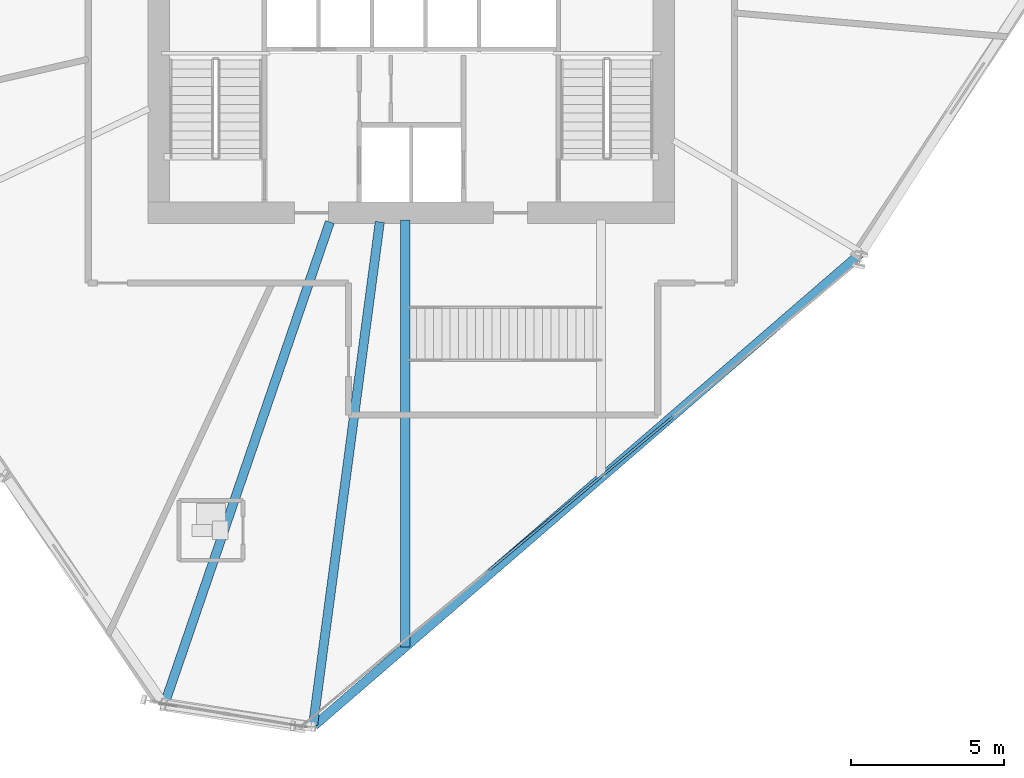
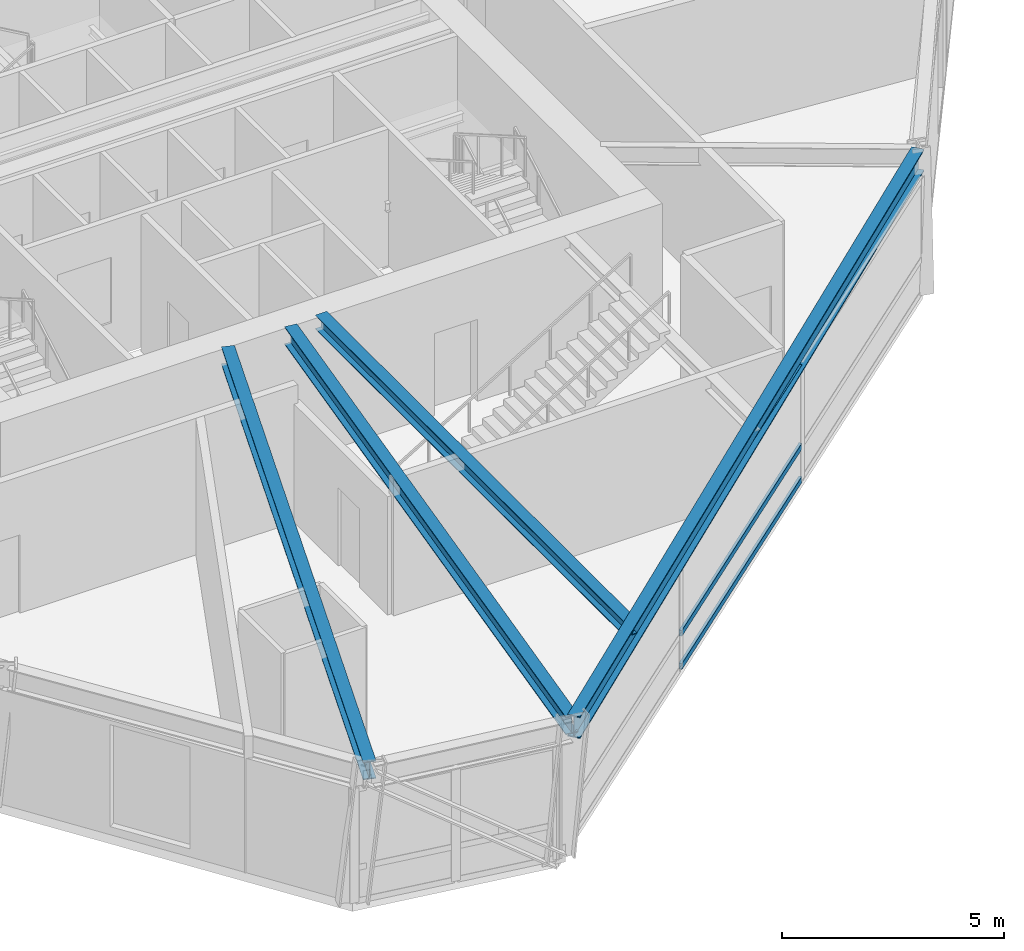
# One storey, part 4 of 16: 4 beams, 3 members, 1 element without a shape of its own.
"""IFC4 building model written with IfcOpenShell, lengths in metres."""

from ifc_helpers import new_model, si_unit, direction, frame, origin, origin_2d, place, context, subcontext, project, spatial, hollow_rectangle, i_section, extrude, source, transform, mapped, material, material_profile, profile_set, type_object, element, aggregate, save


model = new_model("IFC4")

# Units and contexts
model_context = context("Model", 3, precision=1e-05, world=origin(), true_north=direction((0.0, 1.0)))
body_context = subcontext(model_context, "Body", "Model", "MODEL_VIEW")
ifc_project = project(units=[si_unit("LENGTHUNIT", "METRE"), si_unit("AREAUNIT", "SQUARE_METRE"), si_unit("VOLUMEUNIT", "CUBIC_METRE"), si_unit("PLANEANGLEUNIT", "RADIAN"), si_unit("MASSUNIT", "GRAM", prefix="KILO")], contexts=[model_context])

# Site, building, storey
site_placement = place(None, origin())
site = spatial("IfcSite", under=ifc_project, at=site_placement, CompositionType="ELEMENT")
building_placement = place(site_placement, origin())
building = spatial("IfcBuilding", under=site, at=building_placement, Name="Olszyna Solenne Hotel", CompositionType="ELEMENT")
storey_placement = place(building_placement, frame((0.0, 0.0, 134.10009765625)))
storey = spatial("IfcBuildingStorey", under=building, at=storey_placement, Name="L35", CompositionType="ELEMENT", Elevation=134.10009765625)

# Beams
ifc_material_1 = material(Name="Steel S355J2", Category="steel")
ifc_material_profile_1 = material_profile(ifc_material_1, i_section(OverallWidth=0.300048828125, OverallDepth=0.60009765625, WebThickness=0.015380859375, FlangeThickness=0.030029296875, at=origin_2d()), Name="HEB 600", Category="load-bearing")
ifc_profile_set_1 = profile_set([ifc_material_profile_1], Name="Steel S355J2")
beam_type_1 = type_object("IfcBeamType", Name="BM-S2", PredefinedType="BEAM", material=ifc_profile_set_1)
shared_shape_1 = source(origin(), body_context, "Body", "SweptSolid", [
    extrude(i_section(OverallWidth=0.300048828125, OverallDepth=0.60009765625, WebThickness=0.015380859375, FlangeThickness=0.030029296875, at=origin_2d()), origin(), (0.0, 0.0, 1.0), 23.573974609375),
])
beam_1_placement = place(storey_placement, frame((34.83056640625, 2.40087890625, 3.449951171875), z_axis=(0.756659046496, 0.653809672119, 0.0), x_axis=(-0.653809672119, 0.756659046496, 0.0)))
element("IfcBeam", 1, at=beam_1_placement, inside=storey, type_object=beam_type_1, Name="Perimeter spandrel beam BM-S2 B-L35-1051", PredefinedType="BEAM", context=body_context, shape_type="MappedRepresentation", body=[
    mapped(shared_shape_1, transform((0.0, 0.0, 0.0), x_axis=(1.0, 0.0, 0.0), y_axis=(0.0, 1.0, 0.0), z_axis=(0.0, 0.0, 1.0), scale=1.0)),
])
ifc_material_profile_2 = material_profile(ifc_material_1, i_section(OverallWidth=0.300048828125, OverallDepth=0.489990234375, WebThickness=0.011962890625, FlangeThickness=0.02294921875, at=origin_2d()), Name="HEA 500", Category="load-bearing")
ifc_profile_set_2 = profile_set([ifc_material_profile_2], Name="Steel S355J2")
beam_type_2 = type_object("IfcBeamType", Name="BM-G1", PredefinedType="BEAM", material=ifc_profile_set_2)
shared_shape_2 = source(origin(), body_context, "Body", "SweptSolid", [
    extrude(i_section(OverallWidth=0.300048828125, OverallDepth=0.489990234375, WebThickness=0.011962890625, FlangeThickness=0.02294921875, at=origin_2d()), origin(), (0.0, 0.0, 1.0), 16.602294921875),
])
beam_2_placement = place(storey_placement, frame((29.953857421875, 3.143310546875, 3.5048828125), z_axis=(0.324456657668, 0.945900564169, 0.0), x_axis=(-0.945900564169, 0.324456657668, 0.0)))
element("IfcBeam", 2, at=beam_2_placement, inside=storey, type_object=beam_type_2, Name="Radial floor girder BM-G1 B-L35-1060", PredefinedType="BEAM", context=body_context, shape_type="MappedRepresentation", body=[
    mapped(shared_shape_2, transform((0.0, 0.0, 0.0), x_axis=(1.0, 0.0, 0.0), y_axis=(0.0, 1.0, 0.0), z_axis=(0.0, 0.0, 1.0), scale=1.0)),
])
shared_shape_3 = source(origin(), body_context, "Body", "SweptSolid", [
    extrude(i_section(OverallWidth=0.300048828125, OverallDepth=0.489990234375, WebThickness=0.011962890625, FlangeThickness=0.02294921875, at=origin_2d()), origin(), (0.0, 0.0, 1.0), 16.572265625),
])
beam_3_placement = place(storey_placement, frame((34.793212890625, 2.421142578125, 3.5048828125), z_axis=(0.131466980562, 0.991320550086, 0.0), x_axis=(-0.991320550086, 0.131466980562, 0.0)))
element("IfcBeam", 3, at=beam_3_placement, inside=storey, type_object=beam_type_2, Name="Radial floor girder BM-G1 B-L35-1061", PredefinedType="BEAM", context=body_context, shape_type="MappedRepresentation", body=[
    mapped(shared_shape_3, transform((0.0, 0.0, 0.0), x_axis=(1.0, 0.0, 0.0), y_axis=(0.0, 1.0, 0.0), z_axis=(0.0, 0.0, 1.0), scale=1.0)),
])
ifc_material_profile_3 = material_profile(ifc_material_1, i_section(OverallWidth=0.300048828125, OverallDepth=0.389892578125, WebThickness=0.010986328125, FlangeThickness=0.01904296875, at=origin_2d()), Name="HEA 400", Category="load-bearing")
ifc_profile_set_3 = profile_set([ifc_material_profile_3], Name="Steel S355J2")
beam_type_3 = type_object("IfcBeamType", Name="BM-G2", PredefinedType="BEAM", material=ifc_profile_set_3)
shared_shape_4 = source(origin(), body_context, "Body", "SweptSolid", [
    extrude(i_section(OverallWidth=0.300048828125, OverallDepth=0.389892578125, WebThickness=0.010986328125, FlangeThickness=0.01904296875, at=origin_2d()), origin(), (0.0, 0.0, 1.0), 13.953125),
])
beam_4_placement = place(storey_placement, frame((37.800048828125, 4.966796875, 3.554931640625), z_axis=(0.0, 1.0, 0.0), x_axis=(-1.0, 0.0, 0.0)))
element("IfcBeam", 4, at=beam_4_placement, inside=storey, type_object=beam_type_3, Name="Feature stair West trimmer girder BM-G2 B-L35-1065", PredefinedType="BEAM", context=body_context, shape_type="MappedRepresentation", body=[
    mapped(shared_shape_4, transform((0.0, 0.0, 0.0), x_axis=(1.0, 0.0, 0.0), y_axis=(0.0, 1.0, 0.0), z_axis=(0.0, 0.0, 1.0), scale=1.0)),
])

# Curtain wall, members
ifc_material_2 = material(Name="Anodised bronze aluminium", Category="aluminium")
curtain_wall_type = type_object("IfcCurtainWallType", Name="CW-SYS-6", PredefinedType="NOTDEFINED", material=ifc_material_2)
curtain_wall_placement = place(storey_placement, origin())
curtain_wall = element("IfcCurtainWall", 5, at=curtain_wall_placement, inside=storey, type_object=curtain_wall_type, Name="Unitised curtain wall CW-SYS-6 CW-L35-01", PredefinedType="NOTDEFINED")
ifc_material_profile_4 = material_profile(ifc_material_2, hollow_rectangle(XDim=0.074951171875, YDim=0.159912109375, WallThickness=0.00390625, at=origin_2d()), Name="TRAN 160x75x4", Category="load-bearing")
ifc_profile_set_4 = profile_set([ifc_material_profile_4], Name="Anodised bronze aluminium")
member_type = type_object("IfcMemberType", Name="CW-T1", PredefinedType="USERDEFINED", material=ifc_profile_set_4)
shared_shape_5 = source(origin(), body_context, "Body", "SweptSolid", [
    extrude(hollow_rectangle(XDim=0.074951171875, YDim=0.159912109375, WallThickness=0.00390625, at=origin_2d()), origin(), (0.0, 0.0, 1.0), 7.82861328125),
])
member_1_placement = place(storey_placement, frame((40.524658203125, 7.468994140625, 0.037353515625), z_axis=(0.768098568486, 0.640331624309, 0.0), x_axis=(-0.640331624309, 0.768098568486, 0.0)))
member_1 = element("IfcMember", 6, at=member_1_placement, type_object=member_type, Name="Curtain-wall transom CW-T1 CT-L35-01-04", ObjectType="TRANSOM", PredefinedType="USERDEFINED", context=body_context, shape_type="MappedRepresentation", body=[
    mapped(shared_shape_5, transform((0.0, 0.0, 0.0), x_axis=(1.0, 0.0, 0.0), y_axis=(0.0, 1.0, 0.0), z_axis=(0.0, 0.0, 1.0), scale=1.0)),
])
member_2_placement = place(storey_placement, frame((40.524658203125, 7.468994140625, 0.949951171875), z_axis=(0.768098568486, 0.640331624309, 0.0), x_axis=(-0.640331624309, 0.768098568486, 0.0)))
member_2 = element("IfcMember", 7, at=member_2_placement, type_object=member_type, Name="Curtain-wall transom CW-T1 CT-L35-01-05", ObjectType="TRANSOM", PredefinedType="USERDEFINED", context=body_context, shape_type="MappedRepresentation", body=[
    mapped(shared_shape_5, transform((0.0, 0.0, 0.0), x_axis=(1.0, 0.0, 0.0), y_axis=(0.0, 1.0, 0.0), z_axis=(0.0, 0.0, 1.0), scale=1.0)),
])
member_3_placement = place(storey_placement, frame((40.524658203125, 7.468994140625, 3.1044921875), z_axis=(0.768098568486, 0.640331624309, 0.0), x_axis=(-0.640331624309, 0.768098568486, 0.0)))
member_3 = element("IfcMember", 8, at=member_3_placement, type_object=member_type, Name="Curtain-wall transom CW-T1 CT-L35-01-06", ObjectType="TRANSOM", PredefinedType="USERDEFINED", context=body_context, shape_type="MappedRepresentation", body=[
    mapped(shared_shape_5, transform((0.0, 0.0, 0.0), x_axis=(1.0, 0.0, 0.0), y_axis=(0.0, 1.0, 0.0), z_axis=(0.0, 0.0, 1.0), scale=1.0)),
])
aggregate(curtain_wall, [member_1, member_2, member_3])

save(model, "model.ifc")
